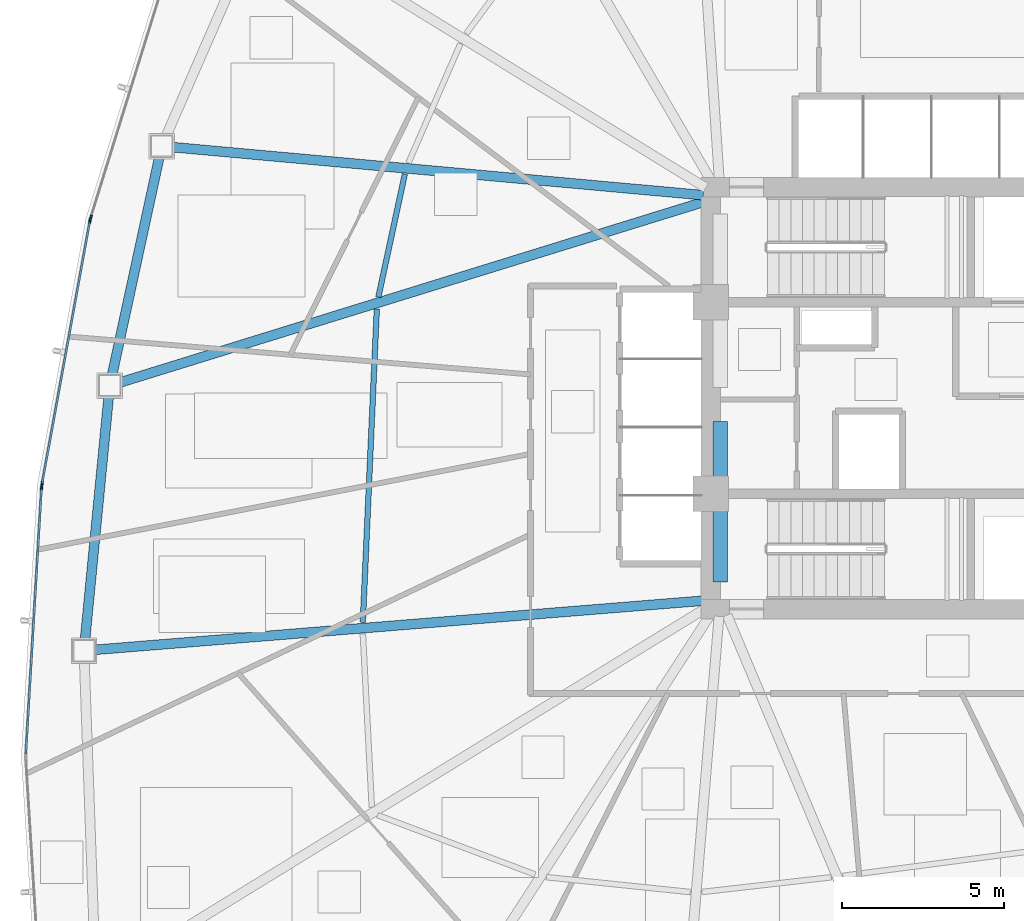
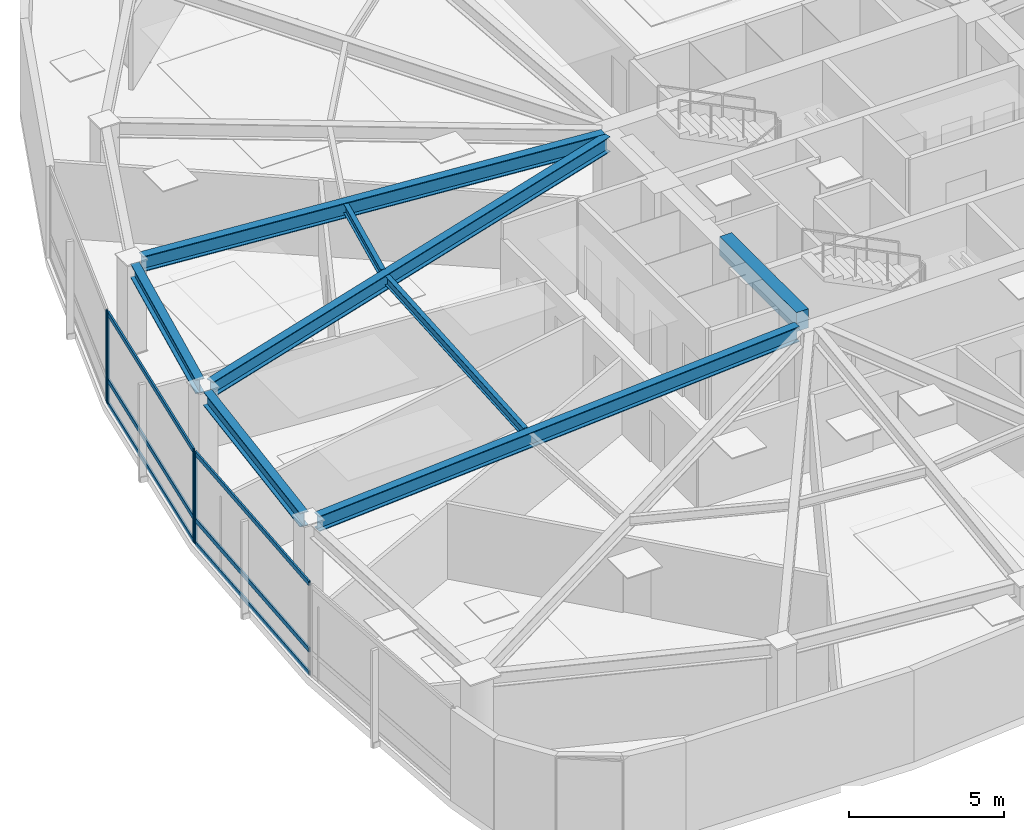
# One storey, part 4 of 17: 10 members, 8 beams, 3 elements without a shape of their own.
"""IFC4 building model written with IfcOpenShell, lengths in metres."""

from ifc_helpers import new_model, si_unit, direction, frame, origin, origin_2d, place, context, subcontext, project, spatial, rectangle, hollow_rectangle, i_section, extrude, source, transform, mapped, material, layer, layer_set, material_profile, profile_set, type_object, type_shapes, element, aggregate, save


model = new_model("IFC4")

# Units and contexts
model_context = context("Model", 3, precision=1e-05, world=origin(), true_north=direction((0.0, 1.0)))
body_context = subcontext(model_context, "Body", "Model", "MODEL_VIEW")
ifc_project = project(units=[si_unit("LENGTHUNIT", "METRE"), si_unit("AREAUNIT", "SQUARE_METRE"), si_unit("VOLUMEUNIT", "CUBIC_METRE"), si_unit("PLANEANGLEUNIT", "RADIAN"), si_unit("MASSUNIT", "GRAM", prefix="KILO")], contexts=[model_context])

# Site, building, storey
site_placement = place(None, origin())
site = spatial("IfcSite", under=ifc_project, at=site_placement, CompositionType="ELEMENT")
building_placement = place(site_placement, origin())
building = spatial("IfcBuilding", under=site, at=building_placement, Name="Tavelor Broadcast Tower", CompositionType="ELEMENT")
storey_placement = place(building_placement, frame((0.0, 0.0, 93.89990234375)))
storey = spatial("IfcBuildingStorey", under=building, at=storey_placement, Name="L22", CompositionType="ELEMENT", Elevation=93.89990234375)

# Beams
ifc_material_1 = material(Name="Concrete C40/50", Category="concrete")
ifc_material_profile_1 = material_profile(ifc_material_1, rectangle(XDim=0.449951171875, YDim=0.75, at=origin_2d()), Name="RC 450x750")
ifc_profile_set_1 = profile_set([ifc_material_profile_1], Name="Concrete C40/50")
beam_type_1 = type_object("IfcBeamType", Name="Basement Core Trim Beam 450x750", PredefinedType="BEAM", material=ifc_profile_set_1)
beam_1_placement = place(storey_placement, frame((43.39990234375, 39.327880859375, 3.22509765625), z_axis=(0.0, 1.0, 0.0), x_axis=(-1.0, 0.0, 0.0)))
element("IfcBeam", 1, at=beam_1_placement, inside=storey, type_object=beam_type_1, Name="L22 Core West-S Tie Girder", PredefinedType="BEAM", context=body_context, shape_type="SweptSolid", body=[
    extrude(rectangle(XDim=0.449951171875, YDim=0.75, at=origin_2d()), origin(), (0.0, 0.0, 1.0), 4.944091796875),
])
ifc_material_2 = material(Name="Steel S355", Category="steel")
ifc_material_profile_2 = material_profile(ifc_material_2, i_section(OverallWidth=0.169921875, OverallDepth=0.360107421875, WebThickness=0.008056640625, FlangeThickness=0.0126953125, at=origin_2d()), Name="IPE 360")
ifc_profile_set_2 = profile_set([ifc_material_profile_2], Name="Steel S355")
beam_type_2 = type_object("IfcBeamType", Name="Composite Floor Joist T2 IPE 360", PredefinedType="JOIST", material=ifc_profile_set_2)
beam_2_placement = place(storey_placement, frame((33.679931640625, 51.899658203125, 3.420166015625), z_axis=(-0.210632825907, -0.97756524726, 0.0), x_axis=(0.97756524726, -0.210632825907, 0.0)))
element("IfcBeam", 2, at=beam_2_placement, inside=storey, type_object=beam_type_2, Name="L22 Secondary Composite Floor Joist 04", PredefinedType="JOIST", context=body_context, shape_type="SweptSolid", body=[
    extrude(i_section(OverallWidth=0.169921875, OverallDepth=0.360107421875, WebThickness=0.008056640625, FlangeThickness=0.0126953125, at=origin_2d()), origin(), (0.0, 0.0, 1.0), 3.8818359375),
])
beam_3_placement = place(storey_placement, frame((32.816162109375, 47.747314453125, 3.420166015625), z_axis=(-0.044602263152, -0.999004823873, 0.0), x_axis=(0.999004823873, -0.044602263152, 0.0)))
element("IfcBeam", 3, at=beam_3_placement, inside=storey, type_object=beam_type_2, Name="L22 Secondary Composite Floor Joist 05", PredefinedType="JOIST", context=body_context, shape_type="SweptSolid", body=[
    extrude(i_section(OverallWidth=0.169921875, OverallDepth=0.360107421875, WebThickness=0.008056640625, FlangeThickness=0.0126953125, at=origin_2d()), origin(), (0.0, 0.0, 1.0), 9.66650390625),
])
ifc_material_profile_3 = material_profile(ifc_material_2, i_section(OverallWidth=0.300048828125, OverallDepth=0.550048828125, WebThickness=0.014892578125, FlangeThickness=0.029052734375, at=origin_2d()), Name="HEB 550")
ifc_profile_set_3 = profile_set([ifc_material_profile_3], Name="Steel S355")
beam_type_3 = type_object("IfcBeamType", Name="Perimeter Spandrel Beam T2 HEB 550", PredefinedType="SPANDREL", material=ifc_profile_set_3)
beam_4_placement = place(storey_placement, frame((26.1181640625, 52.4296875, 3.3251953125), z_axis=(-0.211875421449, -0.977296682582, 0.0), x_axis=(0.977296682582, -0.211875421449, 0.0)))
element("IfcBeam", 4, at=beam_4_placement, inside=storey, type_object=beam_type_3, Name="L22 Framed-Tube Ring Spandrel 04", PredefinedType="SPANDREL", context=body_context, shape_type="SweptSolid", body=[
    extrude(i_section(OverallWidth=0.300048828125, OverallDepth=0.550048828125, WebThickness=0.014892578125, FlangeThickness=0.029052734375, at=origin_2d()), origin(), (0.0, 0.0, 1.0), 6.876708984375),
])
beam_5_placement = place(storey_placement, frame((24.557373046875, 45.04638671875, 3.3251953125), z_axis=(-0.096929220198, -0.9952912771, 0.0), x_axis=(0.9952912771, -0.096929220198, 0.0)))
element("IfcBeam", 5, at=beam_5_placement, inside=storey, type_object=beam_type_3, Name="L22 Framed-Tube Ring Spandrel 05", PredefinedType="SPANDREL", context=body_context, shape_type="SweptSolid", body=[
    extrude(i_section(OverallWidth=0.300048828125, OverallDepth=0.550048828125, WebThickness=0.014892578125, FlangeThickness=0.029052734375, at=origin_2d()), origin(), (0.0, 0.0, 1.0), 7.531005859375),
])
ifc_material_profile_4 = material_profile(ifc_material_2, i_section(OverallWidth=0.300048828125, OverallDepth=0.60009765625, WebThickness=0.015380859375, FlangeThickness=0.030029296875, at=origin_2d()), Name="HEB 600")
ifc_profile_set_4 = profile_set([ifc_material_profile_4], Name="Steel S355")
beam_type_4 = type_object("IfcBeamType", Name="Radial Floor Girder T2 HEB 600", PredefinedType="BEAM", material=ifc_profile_set_4)
beam_6_placement = place(storey_placement, frame((42.874267578125, 51.24755859375, 3.300048828125), z_axis=(-0.99592702313, 0.090162989073, 0.0), x_axis=(-0.090162989073, -0.99592702313, 0.0)))
element("IfcBeam", 6, at=beam_6_placement, inside=storey, type_object=beam_type_4, Name="L22 Radial Primary Floor Girder 04", PredefinedType="BEAM", context=body_context, shape_type="SweptSolid", body=[
    extrude(i_section(OverallWidth=0.300048828125, OverallDepth=0.60009765625, WebThickness=0.015380859375, FlangeThickness=0.030029296875, at=origin_2d()), origin(), (0.0, 0.0, 1.0), 16.417236328125),
])
beam_7_placement = place(storey_placement, frame((42.8955078125, 51.0439453125, 3.300048828125), z_axis=(-0.9553264377, -0.295552698231, 0.0), x_axis=(0.295552698231, -0.9553264377, 0.0)))
element("IfcBeam", 7, at=beam_7_placement, inside=storey, type_object=beam_type_4, Name="L22 Radial Primary Floor Girder 05", PredefinedType="BEAM", context=body_context, shape_type="SweptSolid", body=[
    extrude(i_section(OverallWidth=0.300048828125, OverallDepth=0.60009765625, WebThickness=0.015380859375, FlangeThickness=0.030029296875, at=origin_2d()), origin(), (0.0, 0.0, 1.0), 18.82568359375),
])
beam_8_placement = place(storey_placement, frame((42.873779296875, 38.757568359375, 3.300048828125), z_axis=(-0.996753141144, -0.080518169498, 0.0), x_axis=(0.080518169498, -0.996753141144, 0.0)))
element("IfcBeam", 8, at=beam_8_placement, inside=storey, type_object=beam_type_4, Name="L22 Radial Primary Floor Girder 06", PredefinedType="BEAM", context=body_context, shape_type="SweptSolid", body=[
    extrude(i_section(OverallWidth=0.300048828125, OverallDepth=0.60009765625, WebThickness=0.015380859375, FlangeThickness=0.030029296875, at=origin_2d()), origin(), (0.0, 0.0, 1.0), 18.80517578125),
])

# Curtain wall, member
ifc_material_3 = material(Name="Architectural Anodized Aluminium", Category="aluminium")
ifc_layer = layer(ifc_material_3, 0.179931640625)
ifc_layer_set = layer_set([ifc_layer], Name="Architectural Anodized Aluminium")
curtain_wall_type = type_object("IfcCurtainWallType", Name="Tower Low-Zone Unitised Curtain Wall CW02", PredefinedType="NOTDEFINED", material=ifc_layer_set)
curtain_wall_1_placement = place(storey_placement, origin())
curtain_wall_1 = element("IfcCurtainWall", 9, at=curtain_wall_1_placement, inside=storey, type_object=curtain_wall_type, Name="L22 Curtain Wall CW02 Run 217", PredefinedType="NOTDEFINED")
ifc_material_profile_5 = material_profile(ifc_material_3, hollow_rectangle(XDim=0.06494140625, YDim=0.179931640625, WallThickness=0.02197265625, at=origin_2d()), Name="RHS 65x180x22")
ifc_profile_set_5 = profile_set([ifc_material_profile_5], Name="Architectural Anodized Aluminium")
member_type_1 = type_object("IfcMemberType", Name="CW02 Extruded Aluminium Mullion 65x180", PredefinedType="MULLION", material=ifc_profile_set_5)
shared_shape_1 = source(origin(), body_context, "Body", "SweptSolid", [
    extrude(hollow_rectangle(XDim=0.06494140625, YDim=0.179931640625, WallThickness=0.02197265625, at=origin_2d()), origin(), (0.0, 0.0, 1.0), 3.60009765625),
])
type_shapes(member_type_1, [shared_shape_1])
member_1_placement = place(storey_placement, frame((24.0029296875, 50.550048828125, 0.0), z_axis=(0.0, 0.0, 1.0), x_axis=(0.954891873244, -0.296953717628, 0.0)))
member_1 = element("IfcMember", 10, at=member_1_placement, type_object=member_type_1, Name="CW02 mullion 2", PredefinedType="MULLION", context=body_context, shape_type="MappedRepresentation", body=[
    mapped(shared_shape_1, transform((0.0, 0.0, 0.0), scale=1.0)),
])
aggregate(curtain_wall_1, [member_1])

# Curtain wall, members
curtain_wall_2_placement = place(storey_placement, origin())
curtain_wall_2 = element("IfcCurtainWall", 11, at=curtain_wall_2_placement, inside=storey, type_object=curtain_wall_type, Name="L22 Curtain Wall CW02 Run 218", PredefinedType="NOTDEFINED")
member_2_placement = place(storey_placement, frame((23.980224609375, 50.4580078125, 0.0), z_axis=(0.0, 0.0, 1.0), x_axis=(0.983806170837, -0.179235649976, 0.0)))
member_2 = element("IfcMember", 12, at=member_2_placement, type_object=member_type_1, Name="CW02 mullion 1", PredefinedType="MULLION", context=body_context, shape_type="MappedRepresentation", body=[
    mapped(shared_shape_1, transform((0.0, 0.0, 0.0), scale=1.0)),
])
member_3_placement = place(storey_placement, frame((22.501220703125, 42.339599609375, 0.0), z_axis=(0.0, 0.0, 1.0), x_axis=(0.983806170837, -0.179235649976, 0.0)))
member_3 = element("IfcMember", 13, at=member_3_placement, type_object=member_type_1, Name="CW02 mullion 2", PredefinedType="MULLION", context=body_context, shape_type="MappedRepresentation", body=[
    mapped(shared_shape_1, transform((0.0, 0.0, 0.0), scale=1.0)),
])

# Curtain wall, member
curtain_wall_3_placement = place(storey_placement, origin())
curtain_wall_3 = element("IfcCurtainWall", 14, at=curtain_wall_3_placement, inside=storey, type_object=curtain_wall_type, Name="L22 Curtain Wall CW02 Run 219", PredefinedType="NOTDEFINED")
member_4_placement = place(storey_placement, frame((22.489990234375, 42.24560546875, 0.0), z_axis=(0.0, 0.0, 1.0), x_axis=(0.998265821762, -0.05886721585, 0.0)))
member_4 = element("IfcMember", 15, at=member_4_placement, type_object=member_type_1, Name="CW02 mullion 1", PredefinedType="MULLION", context=body_context, shape_type="MappedRepresentation", body=[
    mapped(shared_shape_1, transform((0.0, 0.0, 0.0), scale=1.0)),
])

# Member
ifc_material_profile_6 = material_profile(ifc_material_3, hollow_rectangle(XDim=0.06494140625, YDim=0.179931640625, WallThickness=0.02197265625, at=origin_2d()), Name="RHS 65x180x22")
ifc_profile_set_6 = profile_set([ifc_material_profile_6], Name="Architectural Anodized Aluminium")
member_type_2 = type_object("IfcMemberType", Name="CW02 Extruded Aluminium Transom 65x180", PredefinedType="USERDEFINED", material=ifc_profile_set_6)
shared_shape_2 = source(origin(), body_context, "Body", "SweptSolid", [
    extrude(hollow_rectangle(XDim=0.06494140625, YDim=0.179931640625, WallThickness=0.02197265625, at=origin_2d()), origin(), (0.0, 0.0, 1.0), 8.18701171875),
])
type_shapes(member_type_2, [shared_shape_2])
member_5_placement = place(storey_placement, frame((23.974365234375, 50.426025390625, 0.03271484375), z_axis=(-0.179250188559, -0.983803522001, 0.0), x_axis=(0.983803522001, -0.179250188559, 0.0)))
member_5 = element("IfcMember", 16, at=member_5_placement, type_object=member_type_2, Name="CW02 transom 1.1", ObjectType="TRANSOM", PredefinedType="USERDEFINED", context=body_context, shape_type="MappedRepresentation", body=[
    mapped(shared_shape_2, transform((0.0, 0.0, 0.0), scale=1.0)),
])

member_6_placement = place(storey_placement, frame((23.974365234375, 50.426025390625, 0.9501953125), z_axis=(-0.179250188559, -0.983803522001, 0.0), x_axis=(0.983803522001, -0.179250188559, 0.0)))
member_6 = element("IfcMember", 17, at=member_6_placement, type_object=member_type_2, Name="CW02 transom 1.2", ObjectType="TRANSOM", PredefinedType="USERDEFINED", context=body_context, shape_type="MappedRepresentation", body=[
    mapped(shared_shape_2, transform((0.0, 0.0, 0.0), scale=1.0)),
])

member_7_placement = place(storey_placement, frame((23.974365234375, 50.426025390625, 3.567626953125), z_axis=(-0.179250188559, -0.983803522001, 0.0), x_axis=(0.983803522001, -0.179250188559, 0.0)))
member_7 = element("IfcMember", 18, at=member_7_placement, type_object=member_type_2, Name="CW02 transom 1.3", ObjectType="TRANSOM", PredefinedType="USERDEFINED", context=body_context, shape_type="MappedRepresentation", body=[
    mapped(shared_shape_2, transform((0.0, 0.0, 0.0), scale=1.0)),
])

aggregate(curtain_wall_2, [member_2, member_3, member_5, member_6, member_7])

member_8_placement = place(storey_placement, frame((22.488037109375, 42.213134765625, 0.03271484375), z_axis=(-0.058865364669, -0.998265930923, 0.0), x_axis=(0.998265930923, -0.058865364669, 0.0)))
member_8 = element("IfcMember", 19, at=member_8_placement, type_object=member_type_2, Name="CW02 transom 1.1", ObjectType="TRANSOM", PredefinedType="USERDEFINED", context=body_context, shape_type="MappedRepresentation", body=[
    mapped(shared_shape_2, transform((0.0, 0.0, 0.0), scale=1.0)),
])

member_9_placement = place(storey_placement, frame((22.488037109375, 42.213134765625, 0.9501953125), z_axis=(-0.058865364669, -0.998265930923, 0.0), x_axis=(0.998265930923, -0.058865364669, 0.0)))
member_9 = element("IfcMember", 20, at=member_9_placement, type_object=member_type_2, Name="CW02 transom 1.2", ObjectType="TRANSOM", PredefinedType="USERDEFINED", context=body_context, shape_type="MappedRepresentation", body=[
    mapped(shared_shape_2, transform((0.0, 0.0, 0.0), scale=1.0)),
])

member_10_placement = place(storey_placement, frame((22.488037109375, 42.213134765625, 3.567626953125), z_axis=(-0.058865364669, -0.998265930923, 0.0), x_axis=(0.998265930923, -0.058865364669, 0.0)))
member_10 = element("IfcMember", 21, at=member_10_placement, type_object=member_type_2, Name="CW02 transom 1.3", ObjectType="TRANSOM", PredefinedType="USERDEFINED", context=body_context, shape_type="MappedRepresentation", body=[
    mapped(shared_shape_2, transform((0.0, 0.0, 0.0), scale=1.0)),
])

aggregate(curtain_wall_3, [member_4, member_8, member_9, member_10])

save(model, "model.ifc")
